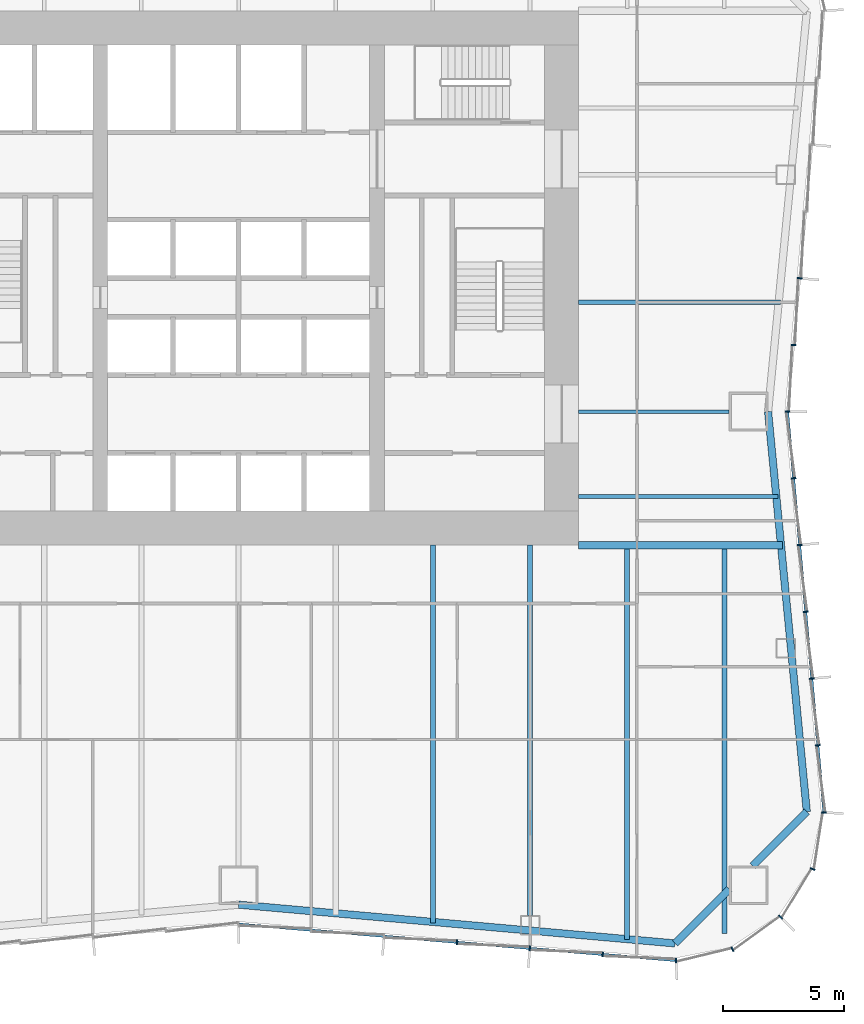
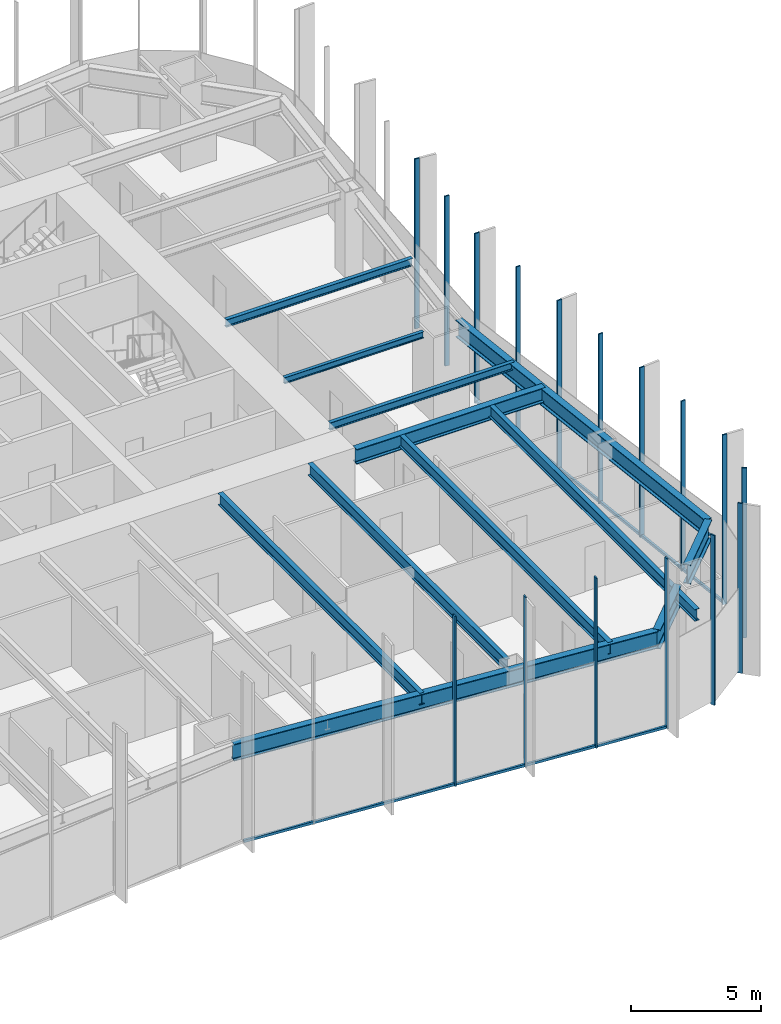
# One storey, part 4 of 13: 18 members, 12 beams, 3 elements without a shape of their own.
"""IFC4 building model written with IfcOpenShell, lengths in metres."""

from ifc_helpers import new_model, si_unit, direction, frame, origin, origin_2d, place, context, subcontext, project, spatial, rectangle, i_section, extrude, material, material_profile, profile_set, type_object, element, aggregate, save


model = new_model("IFC4")

# Units and contexts
model_context = context("Model", 3, precision=1e-05, world=origin(), true_north=direction((0.0, 1.0)))
body_context = subcontext(model_context, "Body", "Model", "MODEL_VIEW")
ifc_project = project(units=[si_unit("LENGTHUNIT", "METRE"), si_unit("AREAUNIT", "SQUARE_METRE"), si_unit("VOLUMEUNIT", "CUBIC_METRE"), si_unit("PLANEANGLEUNIT", "RADIAN"), si_unit("MASSUNIT", "GRAM", prefix="KILO")], contexts=[model_context])

# Site, building, storey
site_placement = place(None, origin())
site = spatial("IfcSite", under=ifc_project, at=site_placement, CompositionType="ELEMENT")
building_placement = place(site_placement, origin())
building = spatial("IfcBuilding", under=site, at=building_placement, Name="Verdant Reach Tower", CompositionType="ELEMENT")
storey_placement = place(building_placement, frame((0.0, 0.0, 50.0)))
storey = spatial("IfcBuildingStorey", under=building, at=storey_placement, Name="L11", CompositionType="ELEMENT", Elevation=50.0)

# Curtain wall, members
ifc_material_1 = material(Name="Anodised aluminium", Category="aluminium")
curtain_wall_type = type_object("IfcCurtainWallType", Name="EN-CW SYSTEM Z0", PredefinedType="NOTDEFINED", material=ifc_material_1)
curtain_wall_1_placement = place(storey_placement, origin())
curtain_wall_1 = element("IfcCurtainWall", 1, at=curtain_wall_1_placement, inside=storey, type_object=curtain_wall_type, Name="Curtain wall south-east corner, L11", PredefinedType="NOTDEFINED")
ifc_material_profile_1 = material_profile(ifc_material_1, rectangle(XDim=0.199951171875, YDim=0.06005859375, at=origin_2d()), Name="Mullion 60x200")
ifc_profile_set_1 = profile_set([ifc_material_profile_1], Name="Anodised aluminium")
member_type_1 = type_object("IfcMemberType", Name="EN-MULLION Z0", PredefinedType="MULLION", material=ifc_profile_set_1)
member_1_placement = place(storey_placement, frame((18.005615234375, -0.099853515625, -0.35009765625), z_axis=(0.0, 0.0, 1.0), x_axis=(0.056569187765, -0.998398681387, 0.0)))
member_1 = element("IfcMember", 2, at=member_1_placement, type_object=member_type_1, Name="Mullion south-east corner 1, L11", PredefinedType="MULLION", context=body_context, shape_type="SweptSolid", body=[
    extrude(rectangle(XDim=0.199951171875, YDim=0.06005859375, at=origin_2d()), origin(), (0.0, 0.0, 1.0), 8.0),
])
member_2_placement = place(storey_placement, frame((20.33447265625, 0.3642578125, -0.35009765625), z_axis=(0.0, 0.0, 1.0), x_axis=(0.382693853776, -0.923875215753, 0.0)))
member_2 = element("IfcMember", 3, at=member_2_placement, type_object=member_type_1, Name="Mullion south-east corner 2, L11", PredefinedType="MULLION", context=body_context, shape_type="SweptSolid", body=[
    extrude(rectangle(XDim=0.199951171875, YDim=0.06005859375, at=origin_2d()), origin(), (0.0, 0.0, 1.0), 8.0),
])
member_3_placement = place(storey_placement, frame((22.313232421875, 1.686767578125, -0.35009765625), z_axis=(0.0, 0.0, 1.0), x_axis=(0.707106781187, -0.707106781187, 0.0)))
member_3 = element("IfcMember", 4, at=member_3_placement, type_object=member_type_1, Name="Mullion south-east corner 3, L11", PredefinedType="MULLION", context=body_context, shape_type="SweptSolid", body=[
    extrude(rectangle(XDim=0.199951171875, YDim=0.06005859375, at=origin_2d()), origin(), (0.0, 0.0, 1.0), 8.0),
])
member_4_placement = place(storey_placement, frame((23.6357421875, 3.66552734375, -0.35009765625), z_axis=(0.0, 0.0, 1.0), x_axis=(0.923875215753, -0.382693853776, 0.0)))
member_4 = element("IfcMember", 5, at=member_4_placement, type_object=member_type_1, Name="Mullion south-east corner 4, L11", PredefinedType="MULLION", context=body_context, shape_type="SweptSolid", body=[
    extrude(rectangle(XDim=0.199951171875, YDim=0.06005859375, at=origin_2d()), origin(), (0.0, 0.0, 1.0), 8.0),
])
aggregate(curtain_wall_1, [member_1, member_2, member_3, member_4])

curtain_wall_2_placement = place(storey_placement, origin())
curtain_wall_2 = element("IfcCurtainWall", 6, at=curtain_wall_2_placement, inside=storey, type_object=curtain_wall_type, Name="Curtain wall east, L11", PredefinedType="NOTDEFINED")
member_5_placement = place(storey_placement, frame((24.099853515625, 5.99462890625, -0.35009765625), z_axis=(0.0, 0.0, 1.0), x_axis=(0.998604288049, -0.052815489107, 0.0)))
member_5 = element("IfcMember", 7, at=member_5_placement, type_object=member_type_1, Name="Mullion east face part 1 1, L11", PredefinedType="MULLION", context=body_context, shape_type="SweptSolid", body=[
    extrude(rectangle(XDim=0.199951171875, YDim=0.06005859375, at=origin_2d()), origin(), (0.0, 0.0, 1.0), 8.0),
])
member_6_placement = place(storey_placement, frame((23.849609375, 8.759033203125, -0.35009765625), z_axis=(0.0, 0.0, 1.0), x_axis=(0.995893206467, 0.090535746047, 0.0)))
member_6 = element("IfcMember", 8, at=member_6_placement, type_object=member_type_1, Name="Mullion east face part 1 2, L11", PredefinedType="MULLION", context=body_context, shape_type="SweptSolid", body=[
    extrude(rectangle(XDim=0.199951171875, YDim=0.06005859375, at=origin_2d()), origin(), (0.0, 0.0, 1.0), 8.0),
])
member_7_placement = place(storey_placement, frame((23.599609375, 11.509033203125, -0.35009765625), z_axis=(0.0, 0.0, 1.0), x_axis=(0.995893206467, 0.090535746047, 0.0)))
member_7 = element("IfcMember", 9, at=member_7_placement, type_object=member_type_1, Name="Mullion east face part 1 3, L11", PredefinedType="MULLION", context=body_context, shape_type="SweptSolid", body=[
    extrude(rectangle(XDim=0.199951171875, YDim=0.06005859375, at=origin_2d()), origin(), (0.0, 0.0, 1.0), 8.0),
])
member_8_placement = place(storey_placement, frame((23.349609375, 14.259033203125, -0.35009765625), z_axis=(0.0, 0.0, 1.0), x_axis=(0.995893206467, 0.090535746047, 0.0)))
member_8 = element("IfcMember", 10, at=member_8_placement, type_object=member_type_1, Name="Mullion east face part 1 4, L11", PredefinedType="MULLION", context=body_context, shape_type="SweptSolid", body=[
    extrude(rectangle(XDim=0.199951171875, YDim=0.06005859375, at=origin_2d()), origin(), (0.0, 0.0, 1.0), 8.0),
])
member_9_placement = place(storey_placement, frame((23.099609375, 17.009033203125, -0.35009765625), z_axis=(0.0, 0.0, 1.0), x_axis=(0.995893206467, 0.090535746047, 0.0)))
member_9 = element("IfcMember", 11, at=member_9_placement, type_object=member_type_1, Name="Mullion east face part 1 5, L11", PredefinedType="MULLION", context=body_context, shape_type="SweptSolid", body=[
    extrude(rectangle(XDim=0.199951171875, YDim=0.06005859375, at=origin_2d()), origin(), (0.0, 0.0, 1.0), 8.0),
])
member_10_placement = place(storey_placement, frame((22.849609375, 19.759033203125, -0.35009765625), z_axis=(0.0, 0.0, 1.0), x_axis=(0.995893206467, 0.090535746047, 0.0)))
member_10 = element("IfcMember", 12, at=member_10_placement, type_object=member_type_1, Name="Mullion east face part 1 6, L11", PredefinedType="MULLION", context=body_context, shape_type="SweptSolid", body=[
    extrude(rectangle(XDim=0.199951171875, YDim=0.06005859375, at=origin_2d()), origin(), (0.0, 0.0, 1.0), 8.0),
])
member_11_placement = place(storey_placement, frame((22.60009765625, 22.5, -0.35009765625), z_axis=(0.0, 0.0, 1.0), x_axis=(1.0, 0.0, 0.0)))
member_11 = element("IfcMember", 13, at=member_11_placement, type_object=member_type_1, Name="Mullion east face part 2 1, L11", PredefinedType="MULLION", context=body_context, shape_type="SweptSolid", body=[
    extrude(rectangle(XDim=0.199951171875, YDim=0.06005859375, at=origin_2d()), origin(), (0.0, 0.0, 1.0), 8.0),
])
member_12_placement = place(storey_placement, frame((22.849609375, 25.240966796875, -0.35009765625), z_axis=(0.0, 0.0, 1.0), x_axis=(0.995893206467, -0.090535746047, 0.0)))
member_12 = element("IfcMember", 14, at=member_12_placement, type_object=member_type_1, Name="Mullion east face part 2 2, L11", PredefinedType="MULLION", context=body_context, shape_type="SweptSolid", body=[
    extrude(rectangle(XDim=0.199951171875, YDim=0.06005859375, at=origin_2d()), origin(), (0.0, 0.0, 1.0), 8.0),
])
member_13_placement = place(storey_placement, frame((23.099609375, 27.990966796875, -0.35009765625), z_axis=(0.0, 0.0, 1.0), x_axis=(0.995893206467, -0.090535746047, 0.0)))
member_13 = element("IfcMember", 15, at=member_13_placement, type_object=member_type_1, Name="Mullion east face part 2 3, L11", PredefinedType="MULLION", context=body_context, shape_type="SweptSolid", body=[
    extrude(rectangle(XDim=0.199951171875, YDim=0.06005859375, at=origin_2d()), origin(), (0.0, 0.0, 1.0), 8.0),
])

curtain_wall_3_placement = place(storey_placement, origin())
curtain_wall_3 = element("IfcCurtainWall", 16, at=curtain_wall_3_placement, inside=storey, type_object=curtain_wall_type, Name="Curtain wall south, L11", PredefinedType="NOTDEFINED")
member_14_placement = place(storey_placement, frame((8.99169921875, 0.650390625, -0.35009765625), z_axis=(0.0, 0.0, 1.0), x_axis=(-0.083045479859, -0.996545758244, 0.0)))
member_14 = element("IfcMember", 17, at=member_14_placement, type_object=member_type_1, Name="Mullion south face part 2 4, L11", PredefinedType="MULLION", context=body_context, shape_type="SweptSolid", body=[
    extrude(rectangle(XDim=0.199951171875, YDim=0.06005859375, at=origin_2d()), origin(), (0.0, 0.0, 1.0), 8.0),
])
member_15_placement = place(storey_placement, frame((11.99169921875, 0.400390625, -0.35009765625), z_axis=(0.0, 0.0, 1.0), x_axis=(-0.083045479859, -0.996545758244, 0.0)))
member_15 = element("IfcMember", 18, at=member_15_placement, type_object=member_type_1, Name="Mullion south face part 2 5, L11", PredefinedType="MULLION", context=body_context, shape_type="SweptSolid", body=[
    extrude(rectangle(XDim=0.199951171875, YDim=0.06005859375, at=origin_2d()), origin(), (0.0, 0.0, 1.0), 8.0),
])
member_16_placement = place(storey_placement, frame((14.99169921875, 0.150390625, -0.35009765625), z_axis=(0.0, 0.0, 1.0), x_axis=(-0.083045479859, -0.996545758244, 0.0)))
member_16 = element("IfcMember", 19, at=member_16_placement, type_object=member_type_1, Name="Mullion south face part 2 6, L11", PredefinedType="MULLION", context=body_context, shape_type="SweptSolid", body=[
    extrude(rectangle(XDim=0.199951171875, YDim=0.06005859375, at=origin_2d()), origin(), (0.0, 0.0, 1.0), 8.0),
])

# Member
ifc_material_profile_2 = material_profile(ifc_material_1, rectangle(XDim=0.10009765625, YDim=0.1201171875, at=origin_2d()), Name="Transom 120x100")
ifc_profile_set_2 = profile_set([ifc_material_profile_2], Name="Anodised aluminium")
member_type_2 = type_object("IfcMemberType", Name="EN-TRANSOM Z0", PredefinedType="USERDEFINED", material=ifc_profile_set_2)
member_17_placement = place(storey_placement, frame((24.09716796875, 6.024658203125, -0.2900390625), z_axis=(-0.090495755184, 0.995896841191, 0.0), x_axis=(-0.995896841191, -0.090495755184, 0.0)))
member_17 = element("IfcMember", 20, at=member_17_placement, type_object=member_type_2, Name="Transom east face part 1 1.1, L11", ObjectType="TRANSOM", PredefinedType="USERDEFINED", context=body_context, shape_type="SweptSolid", body=[
    extrude(rectangle(XDim=0.10009765625, YDim=0.1201171875, at=origin_2d()), origin(), (0.0, 0.0, 1.0), 16.513427734375),
])

aggregate(curtain_wall_2, [member_5, member_6, member_7, member_8, member_9, member_10, member_17, member_11, member_12, member_13])

member_18_placement = place(storey_placement, frame((0.02978515625, 1.3974609375, -0.2900390625), z_axis=(0.996548656072, -0.083010698588, 0.0), x_axis=(0.083010698588, 0.996548656072, 0.0)))
member_18 = element("IfcMember", 21, at=member_18_placement, type_object=member_type_2, Name="Transom south face part 2 1.1, L11", ObjectType="TRANSOM", PredefinedType="USERDEFINED", context=body_context, shape_type="SweptSolid", body=[
    extrude(rectangle(XDim=0.10009765625, YDim=0.1201171875, at=origin_2d()), origin(), (0.0, 0.0, 1.0), 18.00830078125),
])

aggregate(curtain_wall_3, [member_14, member_15, member_16, member_18])

# Beams
ifc_material_2 = material(Name="Steel S355", Category="steel")
ifc_material_profile_3 = material_profile(ifc_material_2, i_section(OverallWidth=0.300048828125, OverallDepth=0.699951171875, WebThickness=0.01708984375, FlangeThickness=0.031982421875, FilletRadius=0.027099609375, at=origin_2d()), Name="HEB 700")
ifc_profile_set_3 = profile_set([ifc_material_profile_3], Name="Steel S355")
beam_type_1 = type_object("IfcBeamType", Name="ST-BEAM-HEB700", PredefinedType="BEAM", material=ifc_profile_set_3)
beam_1_placement = place(storey_placement, frame((14.0, 17.0, 3.52001953125), z_axis=(1.0, 0.0, 0.0), x_axis=(0.0, 1.0, 0.0)))
element("IfcBeam", 22, at=beam_1_placement, inside=storey, type_object=beam_type_1, Name="Trimmer beam, L11", PredefinedType="BEAM", context=body_context, shape_type="SweptSolid", body=[
    extrude(i_section(OverallWidth=0.300048828125, OverallDepth=0.699951171875, WebThickness=0.01708984375, FlangeThickness=0.031982421875, FilletRadius=0.027099609375, at=origin_2d()), origin(), (0.0, 0.0, 1.0), 8.3974609375),
])
ifc_material_profile_4 = material_profile(ifc_material_2, i_section(OverallWidth=0.14990234375, OverallDepth=0.300048828125, WebThickness=0.007080078125, FlangeThickness=0.0107421875, FilletRadius=0.014892578125, at=origin_2d()), Name="IPE 300")
ifc_profile_set_4 = profile_set([ifc_material_profile_4], Name="Steel S355")
beam_type_2 = type_object("IfcBeamType", Name="ST-JOIST-IPE300", PredefinedType="JOIST", material=ifc_profile_set_4)
beam_2_placement = place(storey_placement, frame((14.0, 22.5, 3.719970703125), z_axis=(1.0, 0.0, 0.0), x_axis=(0.0, 1.0, 0.0)))
element("IfcBeam", 23, at=beam_2_placement, inside=storey, type_object=beam_type_2, Name="Floor joist, L11", PredefinedType="JOIST", context=body_context, shape_type="SweptSolid", body=[
    extrude(i_section(OverallWidth=0.14990234375, OverallDepth=0.300048828125, WebThickness=0.007080078125, FlangeThickness=0.0107421875, FilletRadius=0.014892578125, at=origin_2d()), origin(), (0.0, 0.0, 1.0), 6.199951171875),
])
ifc_material_profile_5 = material_profile(ifc_material_2, i_section(OverallWidth=0.169921875, OverallDepth=0.360107421875, WebThickness=0.008056640625, FlangeThickness=0.0126953125, FilletRadius=0.01806640625, at=origin_2d()), Name="IPE 360")
ifc_profile_set_5 = profile_set([ifc_material_profile_5], Name="Steel S355")
beam_type_3 = type_object("IfcBeamType", Name="ST-JOIST-IPE360", PredefinedType="JOIST", material=ifc_profile_set_5)
beam_3_placement = place(storey_placement, frame((14.0, 19.0, 3.68994140625), z_axis=(1.0, 0.0, 0.0), x_axis=(0.0, 1.0, 0.0)))
element("IfcBeam", 24, at=beam_3_placement, inside=storey, type_object=beam_type_3, Name="Floor joist, L11", PredefinedType="JOIST", context=body_context, shape_type="SweptSolid", body=[
    extrude(i_section(OverallWidth=0.169921875, OverallDepth=0.360107421875, WebThickness=0.008056640625, FlangeThickness=0.0126953125, FilletRadius=0.01806640625, at=origin_2d()), origin(), (0.0, 0.0, 1.0), 8.2158203125),
])
beam_4_placement = place(storey_placement, frame((14.0, 27.0, 3.68994140625), z_axis=(1.0, 0.0, 0.0), x_axis=(0.0, 1.0, 0.0)))
element("IfcBeam", 25, at=beam_4_placement, inside=storey, type_object=beam_type_3, Name="Floor joist, L11", PredefinedType="JOIST", context=body_context, shape_type="SweptSolid", body=[
    extrude(i_section(OverallWidth=0.169921875, OverallDepth=0.360107421875, WebThickness=0.008056640625, FlangeThickness=0.0126953125, FilletRadius=0.01806640625, at=origin_2d()), origin(), (0.0, 0.0, 1.0), 8.306640625),
])
ifc_material_profile_6 = material_profile(ifc_material_2, i_section(OverallWidth=0.2099609375, OverallDepth=0.550048828125, WebThickness=0.010986328125, FlangeThickness=0.01708984375, FilletRadius=0.02392578125, at=origin_2d()), Name="IPE 550")
ifc_profile_set_6 = profile_set([ifc_material_profile_6], Name="Steel S355")
beam_type_4 = type_object("IfcBeamType", Name="ST-JOIST-IPE550", PredefinedType="JOIST", material=ifc_profile_set_6)
beam_5_placement = place(storey_placement, frame((8.0, 17.0, 3.594970703125), z_axis=(0.0, -1.0, 0.0), x_axis=(1.0, 0.0, 0.0)))
element("IfcBeam", 26, at=beam_5_placement, inside=storey, type_object=beam_type_4, Name="Floor joist, L11", PredefinedType="JOIST", context=body_context, shape_type="SweptSolid", body=[
    extrude(i_section(OverallWidth=0.2099609375, OverallDepth=0.550048828125, WebThickness=0.010986328125, FlangeThickness=0.01708984375, FilletRadius=0.02392578125, at=origin_2d()), origin(), (0.0, 0.0, 1.0), 15.564697265625),
])
beam_6_placement = place(storey_placement, frame((12.0, 17.0, 3.594970703125), z_axis=(0.0, -1.0, 0.0), x_axis=(1.0, 0.0, 0.0)))
element("IfcBeam", 27, at=beam_6_placement, inside=storey, type_object=beam_type_4, Name="Floor joist, L11", PredefinedType="JOIST", context=body_context, shape_type="SweptSolid", body=[
    extrude(i_section(OverallWidth=0.2099609375, OverallDepth=0.550048828125, WebThickness=0.010986328125, FlangeThickness=0.01708984375, FilletRadius=0.02392578125, at=origin_2d()), origin(), (0.0, 0.0, 1.0), 15.25),
])
beam_7_placement = place(storey_placement, frame((16.0, 16.89990234375, 3.594970703125), z_axis=(0.0, -1.0, 0.0), x_axis=(1.0, 0.0, 0.0)))
element("IfcBeam", 28, at=beam_7_placement, inside=storey, type_object=beam_type_4, Name="Floor joist, L11", PredefinedType="JOIST", context=body_context, shape_type="SweptSolid", body=[
    extrude(i_section(OverallWidth=0.2099609375, OverallDepth=0.550048828125, WebThickness=0.010986328125, FlangeThickness=0.01708984375, FilletRadius=0.02392578125, at=origin_2d()), origin(), (0.0, 0.0, 1.0), 16.131103515625),
])
beam_8_placement = place(storey_placement, frame((20.0, 16.89990234375, 3.594970703125), z_axis=(0.0, -1.0, 0.0), x_axis=(1.0, 0.0, 0.0)))
element("IfcBeam", 29, at=beam_8_placement, inside=storey, type_object=beam_type_4, Name="Floor joist, L11", PredefinedType="JOIST", context=body_context, shape_type="SweptSolid", body=[
    extrude(i_section(OverallWidth=0.2099609375, OverallDepth=0.550048828125, WebThickness=0.010986328125, FlangeThickness=0.01708984375, FilletRadius=0.02392578125, at=origin_2d()), origin(), (0.0, 0.0, 1.0), 15.890380859375),
])
ifc_material_profile_7 = material_profile(ifc_material_2, i_section(OverallWidth=0.300048828125, OverallDepth=0.800048828125, WebThickness=0.017578125, FlangeThickness=0.032958984375, FilletRadius=0.030029296875, at=origin_2d()), Name="HEB 800")
ifc_profile_set_7 = profile_set([ifc_material_profile_7], Name="Steel S355")
beam_type_5 = type_object("IfcBeamType", Name="ST-SPANDREL-HEB800", PredefinedType="SPANDREL", material=ifc_profile_set_7)
beam_9_placement = place(storey_placement, frame((17.9658203125, 0.60498046875, 3.469970703125), z_axis=(-0.996082370463, 0.088430262084, 0.0), x_axis=(-0.088430262084, -0.996082370463, 0.0)))
element("IfcBeam", 30, at=beam_9_placement, inside=storey, type_object=beam_type_5, Name="Edge beam, L11", PredefinedType="SPANDREL", context=body_context, shape_type="SweptSolid", body=[
    extrude(i_section(OverallWidth=0.300048828125, OverallDepth=0.800048828125, WebThickness=0.017578125, FlangeThickness=0.032958984375, FilletRadius=0.030029296875, at=origin_2d()), origin(), (0.0, 0.0, 1.0), 18.036376953125),
])
beam_10_placement = place(storey_placement, frame((21.800048828125, 22.5, 3.469970703125), z_axis=(0.096372296695, -0.995345357366, 0.0), x_axis=(0.995345357366, 0.096372296695, 0.0)))
element("IfcBeam", 31, at=beam_10_placement, inside=storey, type_object=beam_type_5, Name="Edge beam, L11", PredefinedType="SPANDREL", context=body_context, shape_type="SweptSolid", body=[
    extrude(i_section(OverallWidth=0.300048828125, OverallDepth=0.800048828125, WebThickness=0.017578125, FlangeThickness=0.032958984375, FilletRadius=0.030029296875, at=origin_2d()), origin(), (0.0, 0.0, 1.0), 16.544921875),
])
ifc_material_profile_8 = material_profile(ifc_material_2, i_section(OverallWidth=0.302001953125, OverallDepth=0.909912109375, WebThickness=0.02099609375, FlangeThickness=0.0400390625, FilletRadius=0.030029296875, at=origin_2d()), Name="HEM 900")
ifc_profile_set_8 = profile_set([ifc_material_profile_8], Name="Steel S355")
beam_type_6 = type_object("IfcBeamType", Name="ST-SPANDREL-HEM900", PredefinedType="SPANDREL", material=ifc_profile_set_8)
beam_11_placement = place(storey_placement, frame((23.39453125, 6.031982421875, 3.4150390625), z_axis=(-0.70722277322, -0.706990770123, 0.0), x_axis=(0.706990770123, -0.70722277322, 0.0)))
element("IfcBeam", 32, at=beam_11_placement, inside=storey, type_object=beam_type_6, Name="Edge beam, L11", PredefinedType="SPANDREL", context=body_context, shape_type="SweptSolid", body=[
    extrude(i_section(OverallWidth=0.302001953125, OverallDepth=0.909912109375, WebThickness=0.02099609375, FlangeThickness=0.0400390625, FilletRadius=0.030029296875, at=origin_2d()), origin(), (0.0, 0.0, 1.0), 3.156982421875),
])
beam_12_placement = place(storey_placement, frame((20.199951171875, 2.83837890625, 3.4150390625), z_axis=(-0.707222697162, -0.706990846206, 0.0), x_axis=(0.706990846206, -0.707222697162, 0.0)))
element("IfcBeam", 33, at=beam_12_placement, inside=storey, type_object=beam_type_6, Name="Edge beam, L11", PredefinedType="SPANDREL", context=body_context, shape_type="SweptSolid", body=[
    extrude(i_section(OverallWidth=0.302001953125, OverallDepth=0.909912109375, WebThickness=0.02099609375, FlangeThickness=0.0400390625, FilletRadius=0.030029296875, at=origin_2d()), origin(), (0.0, 0.0, 1.0), 3.158935546875),
])

save(model, "model.ifc")
